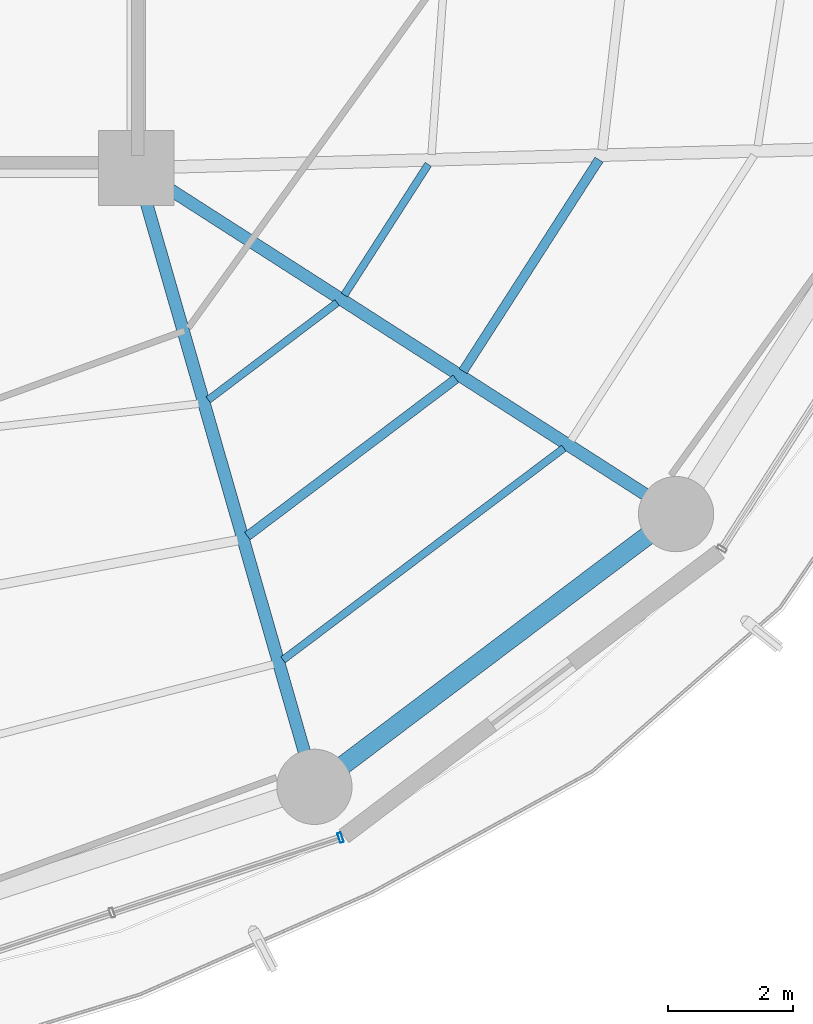
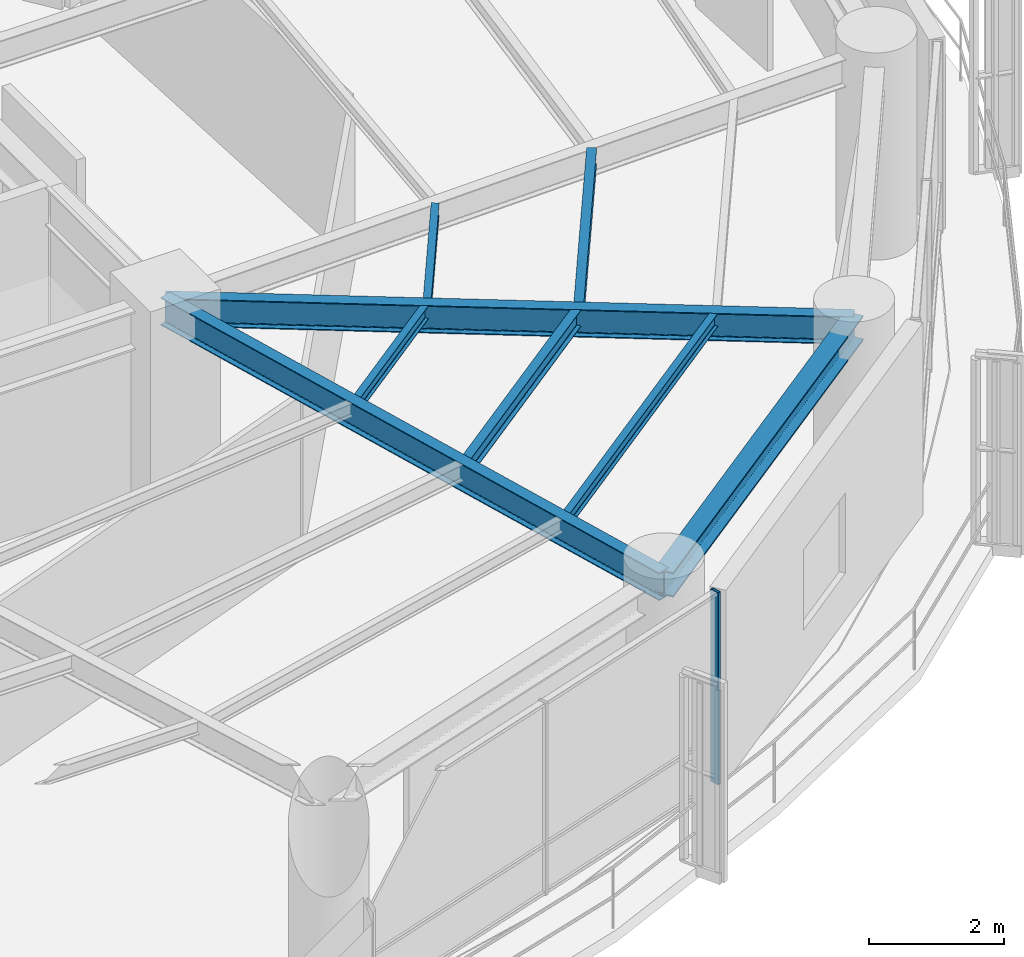
# One storey, part 10 of 27: 8 beams, 1 member, 1 element without a shape of its own.
"""IFC4 building model written with IfcOpenShell, lengths in metres."""

from ifc_helpers import new_model, si_unit, direction, frame, origin, origin_2d, place, context, subcontext, project, spatial, hollow_rectangle, i_section, extrude, material, layer, layer_set, material_profile, profile_set, type_object, element, aggregate, save


model = new_model("IFC4")

# Units and contexts
model_context = context("Model", 3, precision=1e-05, world=origin(), true_north=direction((0.0, 1.0)))
body_context = subcontext(model_context, "Body", "Model", "MODEL_VIEW")
ifc_project = project(units=[si_unit("LENGTHUNIT", "METRE"), si_unit("AREAUNIT", "SQUARE_METRE"), si_unit("VOLUMEUNIT", "CUBIC_METRE"), si_unit("PLANEANGLEUNIT", "RADIAN"), si_unit("MASSUNIT", "GRAM", prefix="KILO")], contexts=[model_context])

# Site, building, storey
site_placement = place(None, origin())
site = spatial("IfcSite", under=ifc_project, at=site_placement, CompositionType="ELEMENT")
building_placement = place(site_placement, origin())
building = spatial("IfcBuilding", under=site, at=building_placement, Name="Kelanora Arch Commons", CompositionType="ELEMENT")
storey_placement = place(building_placement, frame((0.0, 0.0, 173.10009765625)))
storey = spatial("IfcBuildingStorey", under=building, at=storey_placement, Name="L44", CompositionType="ELEMENT", Elevation=173.10009765625)

# Beams
ifc_material_1 = material(Name="Steel S355", Category="steel")
ifc_material_profile_1 = material_profile(ifc_material_1, i_section(OverallWidth=0.14990234375, OverallDepth=0.300048828125, WebThickness=0.007080078125, FlangeThickness=0.0107421875, FilletRadius=0.014892578125, at=origin_2d()), Name="IPE300")
ifc_profile_set_1 = profile_set([ifc_material_profile_1], Name="Steel S355")
beam_type_1 = type_object("IfcBeamType", Name="BM-JST-01", PredefinedType="JOIST", material=ifc_profile_set_1)
beam_1_placement = place(storey_placement, frame((83.77197265625, 45.129150390625, 3.33984375), z_axis=(0.798463547891, 0.602043156833, 0.0), x_axis=(-0.602043156833, 0.798463547891, 0.0)))
element("IfcBeam", 1, at=beam_1_placement, inside=storey, type_object=beam_type_1, Name="Secondary Chord Joist BJB-30 L44", PredefinedType="JOIST", context=body_context, shape_type="SweptSolid", body=[
    extrude(i_section(OverallWidth=0.14990234375, OverallDepth=0.300048828125, WebThickness=0.007080078125, FlangeThickness=0.0107421875, FilletRadius=0.014892578125, at=origin_2d()), origin(), (0.0, 0.0, 1.0), 4.163818359375),
])
beam_2_placement = place(storey_placement, frame((87.210693359375, 47.758544921875, 3.33984375), z_axis=(0.540594434398, 0.841283339606, 0.0), x_axis=(-0.841283339606, 0.540594434398, 0.0)))
element("IfcBeam", 2, at=beam_2_placement, inside=storey, type_object=beam_type_1, Name="Secondary Chord Joist BJB-32 L44", PredefinedType="JOIST", context=body_context, shape_type="SweptSolid", body=[
    extrude(i_section(OverallWidth=0.14990234375, OverallDepth=0.300048828125, WebThickness=0.007080078125, FlangeThickness=0.0107421875, FilletRadius=0.014892578125, at=origin_2d()), origin(), (0.0, 0.0, 1.0), 4.008544921875),
])
ifc_material_profile_2 = material_profile(ifc_material_1, i_section(OverallWidth=0.1201171875, OverallDepth=0.239990234375, WebThickness=0.006103515625, FlangeThickness=0.009765625, FilletRadius=0.014892578125, at=origin_2d()), Name="IPE240")
ifc_profile_set_2 = profile_set([ifc_material_profile_2], Name="Steel S355")
beam_type_2 = type_object("IfcBeamType", Name="BM-JST-02", PredefinedType="JOIST", material=ifc_profile_set_2)
beam_3_placement = place(storey_placement, frame((83.147216796875, 47.300537109375, 3.369873046875), z_axis=(0.798484118859, 0.602015873487, 0.0), x_axis=(-0.602015873487, 0.798484118859, 0.0)))
element("IfcBeam", 3, at=beam_3_placement, inside=storey, type_object=beam_type_2, Name="Secondary Chord Joist BJA-30 L44", PredefinedType="JOIST", context=body_context, shape_type="SweptSolid", body=[
    extrude(i_section(OverallWidth=0.1201171875, OverallDepth=0.239990234375, WebThickness=0.006103515625, FlangeThickness=0.009765625, FilletRadius=0.014892578125, at=origin_2d()), origin(), (0.0, 0.0, 1.0), 2.57470703125),
])
beam_4_placement = place(storey_placement, frame((84.33984375, 43.155029296875, 3.369873046875), z_axis=(0.798493128577, 0.602003923256, 0.0), x_axis=(-0.602003923256, 0.798493128577, 0.0)))
element("IfcBeam", 4, at=beam_4_placement, inside=storey, type_object=beam_type_2, Name="Secondary Chord Joist BJC-30 L44", PredefinedType="JOIST", context=body_context, shape_type="SweptSolid", body=[
    extrude(i_section(OverallWidth=0.1201171875, OverallDepth=0.239990234375, WebThickness=0.006103515625, FlangeThickness=0.009765625, FilletRadius=0.014892578125, at=origin_2d()), origin(), (0.0, 0.0, 1.0), 5.608642578125),
])
beam_5_placement = place(storey_placement, frame((85.31689453125, 48.973388671875, 3.369873046875), z_axis=(0.540583174025, 0.841290575224, 0.0), x_axis=(-0.841290575224, 0.540583174025, 0.0)))
element("IfcBeam", 5, at=beam_5_placement, inside=storey, type_object=beam_type_2, Name="Secondary Chord Joist BJA-32 L44", PredefinedType="JOIST", context=body_context, shape_type="SweptSolid", body=[
    extrude(i_section(OverallWidth=0.1201171875, OverallDepth=0.239990234375, WebThickness=0.006103515625, FlangeThickness=0.009765625, FilletRadius=0.014892578125, at=origin_2d()), origin(), (0.0, 0.0, 1.0), 2.476318359375),
])
ifc_material_profile_3 = material_profile(ifc_material_1, i_section(OverallWidth=0.199951171875, OverallDepth=0.5, WebThickness=0.01025390625, FlangeThickness=0.01611328125, FilletRadius=0.02099609375, at=origin_2d()), Name="IPE500")
ifc_profile_set_3 = profile_set([ifc_material_profile_3], Name="Steel S355")
beam_type_3 = type_object("IfcBeamType", Name="BM-RAD-Z3", PredefinedType="BEAM", material=ifc_profile_set_3)
beam_6_placement = place(storey_placement, frame((82.0, 51.0, 3.239990234375), z_axis=(0.276525880065, -0.961006471182, 0.0), x_axis=(0.961006471182, 0.276525880065, 0.0)))
element("IfcBeam", 6, at=beam_6_placement, inside=storey, type_object=beam_type_3, Name="Radial Floor Girder BR-30 L44", PredefinedType="BEAM", context=body_context, shape_type="SweptSolid", body=[
    extrude(i_section(OverallWidth=0.199951171875, OverallDepth=0.5, WebThickness=0.01025390625, FlangeThickness=0.01611328125, FilletRadius=0.02099609375, at=origin_2d()), origin(), (0.0, 0.0, 1.0), 10.2705078125),
])
beam_7_placement = place(storey_placement, frame((82.0, 51.0, 3.239990234375), z_axis=(0.841719465748, -0.539915123868, 0.0), x_axis=(0.539915123868, 0.841719465748, 0.0)))
element("IfcBeam", 7, at=beam_7_placement, inside=storey, type_object=beam_type_3, Name="Radial Floor Girder BR-32 L44", PredefinedType="BEAM", context=body_context, shape_type="SweptSolid", body=[
    extrude(i_section(OverallWidth=0.199951171875, OverallDepth=0.5, WebThickness=0.01025390625, FlangeThickness=0.01611328125, FilletRadius=0.02099609375, at=origin_2d()), origin(), (0.0, 0.0, 1.0), 10.2265625),
])
ifc_material_profile_4 = material_profile(ifc_material_1, i_section(OverallWidth=0.300048828125, OverallDepth=0.449951171875, WebThickness=0.013916015625, FlangeThickness=0.02587890625, FilletRadius=0.027099609375, at=origin_2d()), Name="HEB450")
ifc_profile_set_4 = profile_set([ifc_material_profile_4], Name="Steel S355")
beam_type_4 = type_object("IfcBeamType", Name="BM-SPN-Z3", PredefinedType="SPANDREL", material=ifc_profile_set_4)
beam_8_placement = place(storey_placement, frame((84.840087890625, 41.1298828125, 3.264892578125), z_axis=(0.798484645564, 0.60201517489, 0.0), x_axis=(-0.60201517489, 0.798484645564, 0.0)))
element("IfcBeam", 8, at=beam_8_placement, inside=storey, type_object=beam_type_4, Name="Perimeter Spandrel Beam BS-30 L44", PredefinedType="SPANDREL", context=body_context, shape_type="SweptSolid", body=[
    extrude(i_section(OverallWidth=0.300048828125, OverallDepth=0.449951171875, WebThickness=0.013916015625, FlangeThickness=0.02587890625, FilletRadius=0.027099609375, at=origin_2d()), origin(), (0.0, 0.0, 1.0), 7.223388671875),
])

# Curtain wall, member
ifc_material_2 = material(Name="Terracotta ceramic-fritted low-E glass and aluminium", Category="masonry")
ifc_layer = layer(ifc_material_2, 0.175048828125)
ifc_layer_set = layer_set([ifc_layer], Name="Terracotta ceramic-fritted low-E glass and aluminium")
curtain_wall_type = type_object("IfcCurtainWallType", Name="CW-SYS-02", PredefinedType="NOTDEFINED", material=ifc_layer_set)
curtain_wall_placement = place(storey_placement, origin())
curtain_wall = element("IfcCurtainWall", 9, at=curtain_wall_placement, inside=storey, type_object=curtain_wall_type, Name="Unitised Curtain Wall L44-B14", PredefinedType="NOTDEFINED")
ifc_material_3 = material(Name="Powder-coated aluminium terracotta", Category="masonry")
ifc_material_profile_5 = material_profile(ifc_material_3, hollow_rectangle(XDim=0.159912109375, YDim=0.06005859375, WallThickness=0.0048828125, InnerFilletRadius=0.0048828125, OuterFilletRadius=0.010009765625, at=origin_2d()), Name="CWM160x60")
ifc_profile_set_5 = profile_set([ifc_material_profile_5], Name="Powder-coated aluminium terracotta")
member_type = type_object("IfcMemberType", Name="CWM-STD", PredefinedType="MULLION", material=ifc_profile_set_5)
member_placement = place(storey_placement, frame((85.257080078125, 40.319091796875, 0.0), z_axis=(0.0, 0.0, 1.0), x_axis=(-0.312128279571, 0.95003996605, 0.0)))
member = element("IfcMember", 10, at=member_placement, type_object=member_type, Name="CW-02 mullion 3", PredefinedType="MULLION", context=body_context, shape_type="SweptSolid", body=[
    extrude(hollow_rectangle(XDim=0.159912109375, YDim=0.06005859375, WallThickness=0.0048828125, InnerFilletRadius=0.0048828125, OuterFilletRadius=0.010009765625, at=origin_2d()), origin(), (0.0, 0.0, 1.0), 3.474853515625),
])
aggregate(curtain_wall, [member])

save(model, "model.ifc")
